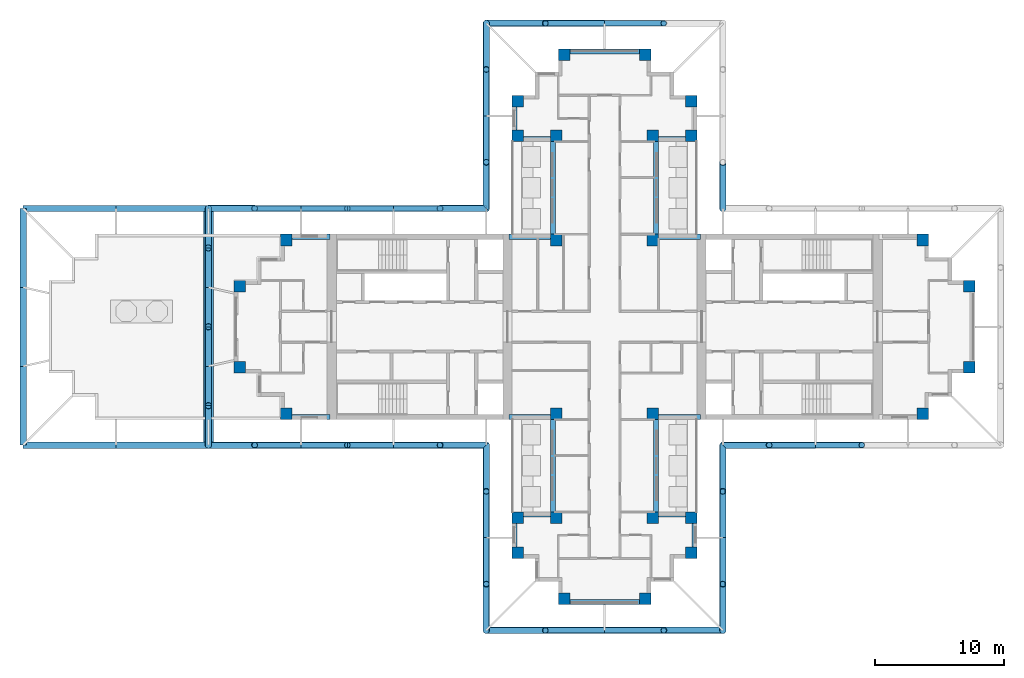
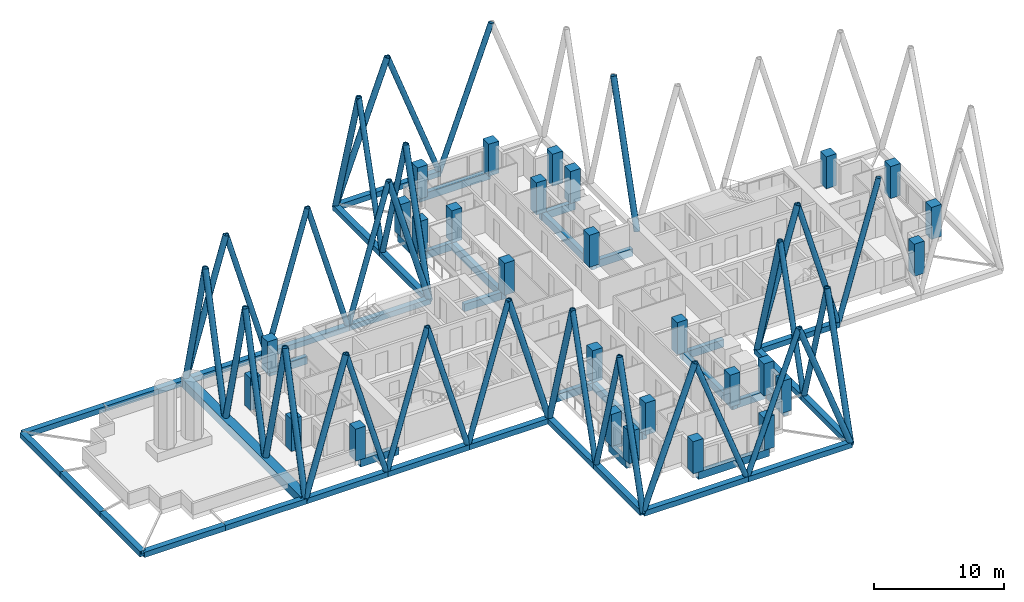
# One storey, part 1 of 11: 65 members, 28 columns, 19 beams.
"""IFC4 building model written with IfcOpenShell, lengths in metres."""

import ifcopenshell
import ifcopenshell.guid

model = None  # the IFC model being written
_history = None  # IfcOwnerHistory: only IFC2X3 demands one
_inside = {}  # id of a spatial element -> (the spatial element, [elements in it])
_under = {}  # id of a project, library or spatial element -> (it, [spatial elements below it])
_declared = {}  # id of a project -> (the project, [libraries it declares])
_typed = {}  # id of a type object -> (the type object, [elements of that type])
_made_of = {}  # id of a material, layer set ... -> (it, [elements and type objects made of it])


def new_model(schema):
    """Start an empty IFC model of exactly this schema.

    Asked for "IFC4X3", IfcOpenShell would pick the latest addendum, in which some entities
    have other attributes; the version numbers below select the first issue.
    IFC2X3 requires an IfcOwnerHistory on every rooted entity: one is made here for all.
    """
    global model, _history
    if schema == "IFC4X3":
        model = ifcopenshell.file(schema_version=(4, 3, 0, 0))
    else:
        model = ifcopenshell.file(schema=schema)
    _inside.clear()
    _under.clear()
    _declared.clear()
    _typed.clear()
    _made_of.clear()
    _history = None
    if model.schema == "IFC2X3":
        org = make("IfcOrganization", Name="unknown")
        user = make(
            "IfcPersonAndOrganization",
            ThePerson=make("IfcPerson", FamilyName="unknown"),
            TheOrganization=org,
        )
        app = make(
            "IfcApplication",
            ApplicationDeveloper=org,
            Version="unknown",
            ApplicationFullName="unknown",
            ApplicationIdentifier="unknown",
        )
        _history = make(
            "IfcOwnerHistory",
            OwningUser=user,
            OwningApplication=app,
            ChangeAction="ADDED",
            CreationDate=0,
        )
    return model


def make(cls, **values):
    """One entity of the class cls with the attributes given. An attribute that is None is left unset."""
    return model.create_entity(
        cls, **{name: value for name, value in values.items() if value is not None}
    )


def rooted(cls, **values):
    """An entity with a GlobalId (a new one), such as an element, a storey or a relation."""
    return make(cls, GlobalId=ifcopenshell.guid.new(), OwnerHistory=_history, **values)


def si_unit(unit_type, name, prefix=None):
    """IfcSIUnit, for example si_unit("LENGTHUNIT", "METRE", prefix="MILLI")."""
    return make("IfcSIUnit", UnitType=unit_type, Prefix=prefix, Name=name)


def assignment(units):
    """IfcUnitAssignment: the units of a project."""
    return None if units is None else make("IfcUnitAssignment", Units=units)


def point(xyz):
    """IfcCartesianPoint."""
    return None if xyz is None else make("IfcCartesianPoint", Coordinates=xyz)


def direction(xyz):
    """IfcDirection."""
    return None if xyz is None else make("IfcDirection", DirectionRatios=xyz)


def frame(location, z_axis=None, x_axis=None):
    """IfcAxis2Placement3D, a coordinate frame: its origin and axes. An axis left out is left unset."""
    return make(
        "IfcAxis2Placement3D",
        Location=point(location),
        Axis=direction(z_axis),
        RefDirection=direction(x_axis),
    )


def frame_2d(location, x_axis=None):
    """IfcAxis2Placement2D, a coordinate frame in the plane: its origin and x axis."""
    return make(
        "IfcAxis2Placement2D", Location=point(location), RefDirection=direction(x_axis)
    )


def origin():
    """The frame at (0, 0, 0) with its axes left unset."""
    return frame((0.0, 0.0, 0.0))


def origin_2d():
    """The frame at (0, 0) in the plane with its x axis left unset."""
    return frame_2d((0.0, 0.0))


def place(relative_to, where):
    """IfcLocalPlacement: puts the frame where relative to a parent placement (None: the world)."""
    return make(
        "IfcLocalPlacement", PlacementRelTo=relative_to, RelativePlacement=where
    )


def context(
    kind, dimensions, precision=None, world=None, true_north=None, identifier=None
):
    """IfcGeometricRepresentationContext, for example the 3D "Model" context."""
    return make(
        "IfcGeometricRepresentationContext",
        ContextIdentifier=identifier,
        ContextType=kind,
        CoordinateSpaceDimension=dimensions,
        Precision=precision,
        WorldCoordinateSystem=world,
        TrueNorth=true_north,
    )


def subcontext(parent, identifier, kind, view, scale=None):
    """IfcGeometricRepresentationSubContext, for example "Body" below "Model"."""
    return make(
        "IfcGeometricRepresentationSubContext",
        ContextIdentifier=identifier,
        ContextType=kind,
        ParentContext=parent,
        TargetScale=scale,
        TargetView=view,
    )


def project(units=None, contexts=None):
    """IfcProject with its units and contexts."""
    return rooted(
        "IfcProject",
        Name="project",
        RepresentationContexts=contexts,
        UnitsInContext=assignment(units),
    )


def spatial(cls, under=None, at=None, **own):
    """A site, building, storey or space (cls), placed at a placement, below another one or the project."""
    s = rooted(cls, ObjectPlacement=at, **own)
    if under is not None:
        _under.setdefault(under.id(), (under, []))[1].append(s)
    return s


def profile(cls, at=None, kind="AREA", **sizes):
    """A parametric profile (cls). Its sizes go by their IFC names, for example OverallWidth=200.0."""
    return make(cls, ProfileType=kind, Position=at, **sizes)


def rectangle(**sizes):
    """IfcRectangleProfileDef."""
    return profile("IfcRectangleProfileDef", **sizes)


def hollow_rectangle(**sizes):
    """IfcRectangleHollowProfileDef."""
    return profile("IfcRectangleHollowProfileDef", **sizes)


def hollow_circle(**sizes):
    """IfcCircleHollowProfileDef."""
    return profile("IfcCircleHollowProfileDef", **sizes)


def extrude(swept, where, along, depth):
    """IfcExtrudedAreaSolid: the profile swept, set in the frame where, extruded along a direction by depth."""
    return make(
        "IfcExtrudedAreaSolid",
        SweptArea=swept,
        Position=where,
        ExtrudedDirection=direction(along),
        Depth=depth,
    )


def shape(context_of_items, identifier, shape_type, items):
    """IfcShapeRepresentation: the items that make up one representation, for example the "Body"."""
    return make(
        "IfcShapeRepresentation",
        ContextOfItems=context_of_items,
        RepresentationIdentifier=identifier,
        RepresentationType=shape_type,
        Items=items,
    )


def material(Name=None, Category=None):
    """IfcMaterial."""
    return make("IfcMaterial", Name=Name, Category=Category)


def material_profile(
    of_material, cross_section, Name=None, Category=None, Priority=None
):
    """IfcMaterialProfile: a cross section and its material."""
    return make(
        "IfcMaterialProfile",
        Name=Name,
        Material=of_material,
        Profile=cross_section,
        Priority=Priority,
        Category=Category,
    )


def profile_set(profiles, Name=None, composite=None):
    """IfcMaterialProfileSet."""
    return make(
        "IfcMaterialProfileSet",
        Name=Name,
        MaterialProfiles=profiles,
        CompositeProfile=composite,
    )


def made_of(thing, what):
    """Note that an element or type object is made of a material, layer set ...; save() writes the relation."""
    if what is not None:
        _made_of.setdefault(what.id(), (what, []))[1].append(thing)
    return thing


def type_object(cls, material=None, **own):
    """A type object (cls), such as IfcWallType, which elements share."""
    return made_of(rooted(cls, **own), material)


def element(
    cls,
    number,
    at=None,
    inside=None,
    cuts=None,
    type_object=None,
    material=None,
    context=None,
    identifier="Body",
    shape_type=None,
    held_by="IfcProductDefinitionShape",
    body=None,
    shapes=None,
    **own,
):
    """One element of the class cls, such as IfcWall. Its Tag is "e" and its number.

    at: its placement. inside: the storey or other place that contains it. cuts: it is an
    opening in that element (IfcRelVoidsElement). A single representation is given by context,
    identifier, shape_type and body (its items); several are given by shapes. held_by: the class
    of the entity that holds the representations. save() writes the other relations.
    """
    e = rooted(cls, Tag="e%d" % number, ObjectPlacement=at, **own)
    if body is not None:
        shapes = [shape(context, identifier, shape_type, body)]
    if shapes is not None:
        e.Representation = make(held_by, Representations=shapes)
    if inside is not None:
        _inside.setdefault(inside.id(), (inside, []))[1].append(e)
    if cuts is not None:
        rooted(
            "IfcRelVoidsElement", RelatingBuildingElement=cuts, RelatedOpeningElement=e
        )
    if type_object is not None:
        _typed.setdefault(type_object.id(), (type_object, []))[1].append(e)
    return made_of(e, material)


def aggregate(whole, parts):
    """IfcRelAggregates: a whole, such as a stair, and the parts it consists of."""
    return rooted("IfcRelAggregates", RelatingObject=whole, RelatedObjects=parts)


def save(model, path):
    """Write the relations noted so far, then the file.

    IfcRelAggregates (storeys below a building ...), IfcRelContainedInSpatialStructure (elements
    in a storey), IfcRelDefinesByType, IfcRelAssociatesMaterial and IfcRelDeclares: one each for
    every whole, place, type object, material and project.
    """
    for whole, parts in _under.values():
        aggregate(whole, parts)
    for where, things in _inside.values():
        rooted(
            "IfcRelContainedInSpatialStructure",
            RelatedElements=things,
            RelatingStructure=where,
        )
    for kind, things in _typed.values():
        rooted("IfcRelDefinesByType", RelatedObjects=things, RelatingType=kind)
    for what, things in _made_of.values():
        rooted("IfcRelAssociatesMaterial", RelatedObjects=things, RelatingMaterial=what)
    for by, libraries in _declared.values():
        rooted("IfcRelDeclares", RelatingContext=by, RelatedDefinitions=libraries)
    model.write(path)


model = new_model("IFC4")

# Units and contexts
model_context = context("Model", 3, precision=1e-05, world=origin(), true_north=direction((0.0, 1.0)))
body_context = subcontext(model_context, "Body", "Model", "MODEL_VIEW")
ifc_project = project(units=[si_unit("LENGTHUNIT", "METRE"), si_unit("AREAUNIT", "SQUARE_METRE"), si_unit("VOLUMEUNIT", "CUBIC_METRE"), si_unit("PLANEANGLEUNIT", "RADIAN"), si_unit("MASSUNIT", "GRAM", prefix="KILO")], contexts=[model_context])

# Site, building, storey
site_placement = place(None, origin())
site = spatial("IfcSite", under=ifc_project, at=site_placement, CompositionType="ELEMENT")
building_placement = place(site_placement, origin())
building = spatial("IfcBuilding", under=site, at=building_placement, Name="Fustian Cross Tower", CompositionType="ELEMENT")
storey_placement = place(building_placement, frame((0.0, 0.0, 198.89990234375)))
storey = spatial("IfcBuildingStorey", under=building, at=storey_placement, Name="L62", CompositionType="ELEMENT", Elevation=198.89990234375)

# Columns
ifc_material_1 = material(Name="Concrete C40/50", Category="concrete")
ifc_material_profile_1 = material_profile(ifc_material_1, rectangle(XDim=0.89990234375, YDim=0.89990234375, at=origin_2d()), Name="RC 900x900")
ifc_profile_set_1 = profile_set([ifc_material_profile_1], Name="Concrete C40/50")
column_type = type_object("IfcColumnType", Name="COLUMN RC 900x900 C40/50", PredefinedType="COLUMN", material=ifc_profile_set_1)
for number, where, z_axis, x_axis, name in (
    (1, (-28.35009765625, -3.14990234375, 0.0), (0.0, 0.0, 1.0), (1.0, 0.0, 0.0), "COLUMN 008"),
    (2, (-28.35009765625, 3.14990234375, 0.0), (0.0, 0.0, 1.0), (1.0, 0.0, 0.0), "COLUMN 009"),
    (3, (-24.75, -6.75, 0.0), (0.0, 0.0, 1.0), (1.0, 0.0, 0.0), "COLUMN 011"),
    (4, (-24.75, 6.75, 0.0), (0.0, 0.0, 1.0), (1.0, 0.0, 0.0), "COLUMN 012"),
    (5, (-6.75, -17.550048828125, 0.0), (0.0, 0.0, 1.0), (1.0, 0.0, 0.0), "COLUMN 017"),
    (6, (-6.75, -14.85009765625, 0.0), (0.0, 0.0, 1.0), (1.0, 0.0, 0.0), "COLUMN 018"),
    (7, (-6.75, 14.85009765625, 0.0), (0.0, 0.0, 1.0), (1.0, 0.0, 0.0), "COLUMN 019"),
    (8, (-6.75, 17.550048828125, 0.0), (0.0, 0.0, 1.0), (1.0, 0.0, 0.0), "COLUMN 020"),
    (9, (-3.75, -14.85009765625, 0.0), (0.0, 0.0, 1.0), (1.0, 0.0, 0.0), "COLUMN 025"),
    (10, (-3.75, -6.75, 0.0), (0.0, 0.0, 1.0), (1.0, 0.0, 0.0), "COLUMN 026"),
    (11, (-3.75, 6.75, 0.0), (0.0, 0.0, 1.0), (1.0, 0.0, 0.0), "COLUMN 027"),
    (12, (-3.75, 14.85009765625, 0.0), (0.0, 0.0, 1.0), (1.0, 0.0, 0.0), "COLUMN 028"),
    (13, (-3.14990234375, -21.14990234375, 0.0), (0.0, 0.0, 1.0), (1.0, 0.0, 0.0), "COLUMN 030"),
    (14, (-3.14990234375, 21.14990234375, 0.0), (0.0, 0.0, 1.0), (1.0, 0.0, 0.0), "COLUMN 031"),
    (15, (3.14990234375, -21.14990234375, 0.0), (0.0, 0.0, 1.0), (1.0, 0.0, 0.0), "COLUMN 034"),
    (16, (3.14990234375, 21.14990234375, 0.0), (0.0, 0.0, 1.0), (1.0, 0.0, 0.0), "COLUMN 035"),
    (17, (3.75, -14.85009765625, 0.0), (0.0, 0.0, 1.0), (1.0, 0.0, 0.0), "COLUMN 037"),
    (18, (3.75, -6.75, 0.0), (0.0, 0.0, 1.0), (1.0, 0.0, 0.0), "COLUMN 038"),
    (19, (3.75, 6.75, 0.0), (0.0, 0.0, 1.0), (1.0, 0.0, 0.0), "COLUMN 039"),
    (20, (3.75, 14.85009765625, 0.0), (0.0, 0.0, 1.0), (1.0, 0.0, 0.0), "COLUMN 040"),
    (21, (6.75, -17.550048828125, 0.0), (0.0, 0.0, 1.0), (1.0, 0.0, 0.0), "COLUMN 045"),
    (22, (6.75, -14.85009765625, 0.0), (0.0, 0.0, 1.0), (1.0, 0.0, 0.0), "COLUMN 046"),
    (23, (6.75, 14.85009765625, 0.0), (0.0, 0.0, 1.0), (1.0, 0.0, 0.0), "COLUMN 047"),
    (24, (6.75, 17.550048828125, 0.0), (0.0, 0.0, 1.0), (1.0, 0.0, 0.0), "COLUMN 048"),
    (25, (24.75, -6.75, 0.0), (0.0, 0.0, 1.0), (1.0, 0.0, 0.0), "COLUMN 053"),
    (26, (24.75, 6.75, 0.0), (0.0, 0.0, 1.0), (1.0, 0.0, 0.0), "COLUMN 054"),
    (27, (28.35009765625, -3.14990234375, 0.0), (0.0, 0.0, 1.0), (1.0, 0.0, 0.0), "COLUMN 056"),
    (28, (28.35009765625, 3.14990234375, 0.0), (0.0, 0.0, 1.0), (1.0, 0.0, 0.0), "COLUMN 057"),
):
    element("IfcColumn", number, at=place(storey_placement, frame(where, z_axis=z_axis, x_axis=x_axis)), inside=storey, type_object=column_type, Name=name, PredefinedType="COLUMN", context=body_context, shape_type="SweptSolid", body=[
        extrude(rectangle(XDim=0.89990234375, YDim=0.89990234375, at=origin_2d()), origin(), (0.0, 0.0, 1.0), 3.0),
    ])

# Members
ifc_material_2 = material(Name="Steel S355", Category="steel")
ifc_material_profile_2 = material_profile(ifc_material_2, hollow_circle(Radius=0.228515625, WallThickness=0.01611328125, at=origin_2d()), Name="CHS 457x16")
ifc_profile_set_2 = profile_set([ifc_material_profile_2], Name="Steel S355")
member_type_1 = type_object("IfcMemberType", Name="DIAGRID DIAGONAL CHS 457x16", PredefinedType="BRACE", material=ifc_profile_set_2)
for number, where, z_axis, x_axis, name in (
    (29, (16.39990234375, -9.199951171875, -0.39990234375), (-0.278801756922, 0.0, 0.960348676438), (0.0, -1.0, 0.0), "Diagrid diagonal E-S 02"),
    (30, (16.39990234375, -9.199951171875, -0.39990234375), (0.278819195264, 0.0, 0.960343613689), (0.0, 1.0, 0.0), "Diagrid diagonal E-S 03"),
):
    element("IfcMember", number, at=place(storey_placement, frame(where, z_axis=z_axis, x_axis=x_axis)), inside=storey, type_object=member_type_1, Name=name, PredefinedType="BRACE", context=body_context, shape_type="SweptSolid", body=[
        extrude(hollow_circle(Radius=0.228515625, WallThickness=0.01611328125, at=origin_2d()), origin(), (0.0, 0.0, 1.0), 12.911865234375),
    ])
for number, where, z_axis, x_axis, name in (
    (31, (0.0, 23.60009765625, -0.39990234375), (0.347815721372, 0.0, 0.937562917338), (0.0, 1.0, 0.0), "Diagrid diagonal N-end 02"),
    (32, (0.0, 23.60009765625, -0.39990234375), (-0.347815721372, 0.0, 0.937562917338), (0.0, -1.0, 0.0), "Diagrid diagonal N-end 03"),
):
    element("IfcMember", number, at=place(storey_placement, frame(where, z_axis=z_axis, x_axis=x_axis)), inside=storey, type_object=member_type_1, Name=name, PredefinedType="BRACE", context=body_context, shape_type="SweptSolid", body=[
        extrude(hollow_circle(Radius=0.228515625, WallThickness=0.01611328125, at=origin_2d()), origin(), (0.0, 0.0, 1.0), 13.2255859375),
    ])
for number, where, z_axis, x_axis, name in (
    (33, (-9.199951171875, 16.39990234375, -0.39990234375), (0.0, 0.278819195264, 0.960343613689), (-1.0, 0.0, 0.0), "Diagrid diagonal N-W 02"),
    (34, (-9.199951171875, 16.39990234375, -0.39990234375), (0.0, -0.278801756922, 0.960348676438), (1.0, 0.0, 0.0), "Diagrid diagonal N-W 03"),
    (35, (-16.39990234375, 9.199951171875, -0.39990234375), (0.278801756922, 0.0, 0.960348676438), (0.0, 1.0, 0.0), "Diagrid diagonal W-N 02"),
    (36, (-16.39990234375, 9.199951171875, -0.39990234375), (-0.278819195264, 0.0, 0.960343613689), (0.0, -1.0, 0.0), "Diagrid diagonal W-N 03"),
    (37, (-23.60009765625, 9.199951171875, -0.39990234375), (0.278819195264, 0.0, 0.960343613689), (0.0, 1.0, 0.0), "Diagrid diagonal W-N 04"),
    (38, (-23.60009765625, 9.199951171875, -0.39990234375), (-0.278801756922, 0.0, 0.960348676438), (0.0, -1.0, 0.0), "Diagrid diagonal W-N 05"),
    (39, (-23.60009765625, -9.199951171875, -0.39990234375), (-0.278801756922, 0.0, 0.960348676438), (0.0, -1.0, 0.0), "Diagrid diagonal W-S 02"),
    (40, (-23.60009765625, -9.199951171875, -0.39990234375), (0.278819195264, 0.0, 0.960343613689), (0.0, 1.0, 0.0), "Diagrid diagonal W-S 03"),
    (41, (-16.39990234375, -9.199951171875, -0.39990234375), (-0.278819195264, 0.0, 0.960343613689), (0.0, -1.0, 0.0), "Diagrid diagonal W-S 04"),
    (42, (-16.39990234375, -9.199951171875, -0.39990234375), (0.278801756922, 0.0, 0.960348676438), (0.0, 1.0, 0.0), "Diagrid diagonal W-S 05"),
    (43, (-9.199951171875, -16.39990234375, -0.39990234375), (0.0, 0.278801756922, 0.960348676438), (-1.0, 0.0, 0.0), "Diagrid diagonal S-W 02"),
    (44, (-9.199951171875, -16.39990234375, -0.39990234375), (0.0, -0.278819195264, 0.960343613689), (1.0, 0.0, 0.0), "Diagrid diagonal S-W 03"),
):
    element("IfcMember", number, at=place(storey_placement, frame(where, z_axis=z_axis, x_axis=x_axis)), inside=storey, type_object=member_type_1, Name=name, PredefinedType="BRACE", context=body_context, shape_type="SweptSolid", body=[
        extrude(hollow_circle(Radius=0.228515625, WallThickness=0.01611328125, at=origin_2d()), origin(), (0.0, 0.0, 1.0), 12.911865234375),
    ])
for number, where, z_axis, x_axis, name in (
    (45, (0.0, -23.60009765625, -0.39990234375), (-0.347815721372, 0.0, 0.937562917338), (0.0, -1.0, 0.0), "Diagrid diagonal S-end 02"),
    (46, (0.0, -23.60009765625, -0.39990234375), (0.347815721372, 0.0, 0.937562917338), (0.0, 1.0, 0.0), "Diagrid diagonal S-end 03"),
):
    element("IfcMember", number, at=place(storey_placement, frame(where, z_axis=z_axis, x_axis=x_axis)), inside=storey, type_object=member_type_1, Name=name, PredefinedType="BRACE", context=body_context, shape_type="SweptSolid", body=[
        extrude(hollow_circle(Radius=0.228515625, WallThickness=0.01611328125, at=origin_2d()), origin(), (0.0, 0.0, 1.0), 13.2255859375),
    ])
for number, where, z_axis, x_axis, name in (
    (47, (9.199951171875, -16.39990234375, -0.39990234375), (0.0, -0.278819195264, 0.960343613689), (1.0, 0.0, 0.0), "Diagrid diagonal S-E 02"),
    (48, (9.199951171875, -16.39990234375, -0.39990234375), (0.0, 0.278801756922, 0.960348676438), (-1.0, 0.0, 0.0), "Diagrid diagonal S-E 03"),
):
    element("IfcMember", number, at=place(storey_placement, frame(where, z_axis=z_axis, x_axis=x_axis)), inside=storey, type_object=member_type_1, Name=name, PredefinedType="BRACE", context=body_context, shape_type="SweptSolid", body=[
        extrude(hollow_circle(Radius=0.228515625, WallThickness=0.01611328125, at=origin_2d()), origin(), (0.0, 0.0, 1.0), 12.911865234375),
    ])
ifc_material_3 = material(Name="Steel S355", Category="steel")
ifc_material_profile_3 = material_profile(ifc_material_3, hollow_circle(Radius=0.25390625, WallThickness=0.02001953125, at=origin_2d()), Name="CHS 508x20")
ifc_profile_set_3 = profile_set([ifc_material_profile_3], Name="Steel S355")
member_type_2 = type_object("IfcMemberType", Name="DIAGRID DIAGONAL CHS 508x20", PredefinedType="BRACE", material=ifc_profile_set_3)
for number, where, z_axis, x_axis, name in (
    (49, (9.199951171875, -9.199951171875, -0.39990234375), (0.278819195264, 0.0, 0.960343613689), (0.0, 1.0, 0.0), "Diagrid diagonal E-S 01"),
    (50, (9.199951171875, 9.199951171875, -0.39990234375), (0.0, 0.278819195264, 0.960343613689), (-1.0, 0.0, 0.0), "Diagrid diagonal N-E 01"),
):
    element("IfcMember", number, at=place(storey_placement, frame(where, z_axis=z_axis, x_axis=x_axis)), inside=storey, type_object=member_type_2, Name=name, PredefinedType="BRACE", context=body_context, shape_type="SweptSolid", body=[
        extrude(hollow_circle(Radius=0.25390625, WallThickness=0.02001953125, at=origin_2d()), origin(), (0.0, 0.0, 1.0), 12.911865234375),
    ])
member_1_placement = place(storey_placement, frame((-9.199951171875, 23.60009765625, -0.39990234375), z_axis=(0.347799494783, 0.0, 0.937568936894), x_axis=(0.0, 1.0, 0.0)))
element("IfcMember", 51, at=member_1_placement, inside=storey, type_object=member_type_2, Name="Diagrid diagonal N-end 04", PredefinedType="BRACE", context=body_context, shape_type="SweptSolid", body=[
    extrude(hollow_circle(Radius=0.25390625, WallThickness=0.02001953125, at=origin_2d()), origin(), (0.0, 0.0, 1.0), 13.2255859375),
])
for number, where, z_axis, x_axis, name in (
    (52, (-9.199951171875, 23.60009765625, -0.39990234375), (0.0, -0.278819195264, 0.960343613689), (1.0, 0.0, 0.0), "Diagrid diagonal N-W 01"),
    (53, (-9.199951171875, 9.199951171875, -0.39990234375), (0.0, 0.278819195264, 0.960343613689), (-1.0, 0.0, 0.0), "Diagrid diagonal N-W 04"),
    (54, (-9.199951171875, 9.199951171875, -0.39990234375), (-0.278819195264, 0.0, 0.960343613689), (0.0, -1.0, 0.0), "Diagrid diagonal W-N 01"),
    (55, (-30.800048828125, 9.199951171875, -0.39990234375), (0.278819195264, 0.0, 0.960343613689), (0.0, 1.0, 0.0), "Diagrid diagonal W-N 06"),
):
    element("IfcMember", number, at=place(storey_placement, frame(where, z_axis=z_axis, x_axis=x_axis)), inside=storey, type_object=member_type_2, Name=name, PredefinedType="BRACE", context=body_context, shape_type="SweptSolid", body=[
        extrude(hollow_circle(Radius=0.25390625, WallThickness=0.02001953125, at=origin_2d()), origin(), (0.0, 0.0, 1.0), 12.911865234375),
    ])
for number, where, z_axis, x_axis, name in (
    (56, (-30.800048828125, 9.199951171875, -0.39990234375), (0.0, -0.240079379729, 0.970753259808), (1.0, 0.0, 0.0), "Diagrid diagonal W-end 01"),
    (57, (-30.800048828125, 3.066650390625, -0.39990234375), (0.0, 0.240079379729, 0.970753259808), (-1.0, 0.0, 0.0), "Diagrid diagonal W-end 02"),
    (58, (-30.800048828125, 3.066650390625, -0.39990234375), (0.0, -0.240079379729, 0.970753259808), (1.0, 0.0, 0.0), "Diagrid diagonal W-end 03"),
    (59, (-30.800048828125, -3.066650390625, -0.39990234375), (0.0, 0.240079379729, 0.970753259808), (-1.0, 0.0, 0.0), "Diagrid diagonal W-end 04"),
    (60, (-30.800048828125, -3.066650390625, -0.39990234375), (0.0, -0.240079379729, 0.970753259808), (1.0, 0.0, 0.0), "Diagrid diagonal W-end 05"),
    (61, (-30.800048828125, -9.199951171875, -0.39990234375), (0.0, 0.240079379729, 0.970753259808), (-1.0, 0.0, 0.0), "Diagrid diagonal W-end 06"),
):
    element("IfcMember", number, at=place(storey_placement, frame(where, z_axis=z_axis, x_axis=x_axis)), inside=storey, type_object=member_type_2, Name=name, PredefinedType="BRACE", context=body_context, shape_type="SweptSolid", body=[
        extrude(hollow_circle(Radius=0.25390625, WallThickness=0.02001953125, at=origin_2d()), origin(), (0.0, 0.0, 1.0), 12.7734375),
    ])
for number, where, z_axis, x_axis, name in (
    (62, (-30.800048828125, -9.199951171875, -0.39990234375), (0.278819195264, 0.0, 0.960343613689), (0.0, 1.0, 0.0), "Diagrid diagonal W-S 01"),
    (63, (-9.199951171875, -9.199951171875, -0.39990234375), (-0.278819195264, 0.0, 0.960343613689), (0.0, -1.0, 0.0), "Diagrid diagonal W-S 06"),
    (64, (-9.199951171875, -9.199951171875, -0.39990234375), (0.0, -0.278819195264, 0.960343613689), (1.0, 0.0, 0.0), "Diagrid diagonal S-W 01"),
    (65, (-9.199951171875, -23.60009765625, -0.39990234375), (0.0, 0.278819195264, 0.960343613689), (-1.0, 0.0, 0.0), "Diagrid diagonal S-W 04"),
):
    element("IfcMember", number, at=place(storey_placement, frame(where, z_axis=z_axis, x_axis=x_axis)), inside=storey, type_object=member_type_2, Name=name, PredefinedType="BRACE", context=body_context, shape_type="SweptSolid", body=[
        extrude(hollow_circle(Radius=0.25390625, WallThickness=0.02001953125, at=origin_2d()), origin(), (0.0, 0.0, 1.0), 12.911865234375),
    ])
for number, where, z_axis, x_axis, name in (
    (66, (-9.199951171875, -23.60009765625, -0.39990234375), (0.347799494783, 0.0, 0.937568936894), (0.0, 1.0, 0.0), "Diagrid diagonal S-end 01"),
    (67, (9.199951171875, -23.60009765625, -0.39990234375), (-0.347799494783, 0.0, 0.937568936894), (0.0, -1.0, 0.0), "Diagrid diagonal S-end 04"),
):
    element("IfcMember", number, at=place(storey_placement, frame(where, z_axis=z_axis, x_axis=x_axis)), inside=storey, type_object=member_type_2, Name=name, PredefinedType="BRACE", context=body_context, shape_type="SweptSolid", body=[
        extrude(hollow_circle(Radius=0.25390625, WallThickness=0.02001953125, at=origin_2d()), origin(), (0.0, 0.0, 1.0), 13.2255859375),
    ])
for number, where, z_axis, x_axis, name in (
    (68, (9.199951171875, -23.60009765625, -0.39990234375), (0.0, 0.278819195264, 0.960343613689), (-1.0, 0.0, 0.0), "Diagrid diagonal S-E 01"),
    (69, (9.199951171875, -9.199951171875, -0.39990234375), (0.0, -0.278819195264, 0.960343613689), (1.0, 0.0, 0.0), "Diagrid diagonal S-E 04"),
):
    element("IfcMember", number, at=place(storey_placement, frame(where, z_axis=z_axis, x_axis=x_axis)), inside=storey, type_object=member_type_2, Name=name, PredefinedType="BRACE", context=body_context, shape_type="SweptSolid", body=[
        extrude(hollow_circle(Radius=0.25390625, WallThickness=0.02001953125, at=origin_2d()), origin(), (0.0, 0.0, 1.0), 12.911865234375),
    ])
ifc_material_4 = material(Name="Steel S355", Category="steel")
ifc_material_profile_4 = material_profile(ifc_material_4, hollow_rectangle(XDim=0.5, YDim=0.5, WallThickness=0.02490234375, at=origin_2d()), Name="RHS 500x500x25")
ifc_profile_set_4 = profile_set([ifc_material_profile_4], Name="Steel S355")
member_type_3 = type_object("IfcMemberType", Name="DIAGRID RING RHS 500x500x25", PredefinedType="MEMBER", material=ifc_profile_set_4)
member_2_placement = place(storey_placement, frame((0.0, 23.60009765625, -0.39990234375), z_axis=(-1.0, 0.0, 0.0), x_axis=(0.0, -1.0, 0.0)))
element("IfcMember", 70, at=member_2_placement, inside=storey, type_object=member_type_3, Name="Diagrid ring L62-08 L62-09", PredefinedType="MEMBER", context=body_context, shape_type="SweptSolid", body=[
    extrude(hollow_rectangle(XDim=0.5, YDim=0.5, WallThickness=0.02490234375, at=origin_2d()), origin(), (0.0, 0.0, 1.0), 9.199951171875),
])
member_3_placement = place(storey_placement, frame((-9.199951171875, 23.60009765625, -0.39990234375), z_axis=(0.0, -1.0, 0.0), x_axis=(1.0, 0.0, 0.0)))
element("IfcMember", 71, at=member_3_placement, inside=storey, type_object=member_type_3, Name="Diagrid ring L62-09 L62-10", PredefinedType="MEMBER", context=body_context, shape_type="SweptSolid", body=[
    extrude(hollow_rectangle(XDim=0.5, YDim=0.5, WallThickness=0.02490234375, at=origin_2d()), origin(), (0.0, 0.0, 1.0), 7.2001953125),
])
for number, where, z_axis, x_axis, name in (
    (72, (-9.199951171875, 16.39990234375, -0.39990234375), (0.0, -1.0, 0.0), (1.0, 0.0, 0.0), "Diagrid ring L62-10 L62-11"),
    (73, (-9.199951171875, 9.199951171875, -0.39990234375), (-1.0, 0.0, 0.0), (0.0, -1.0, 0.0), "Diagrid ring L62-11 L62-12"),
):
    element("IfcMember", number, at=place(storey_placement, frame(where, z_axis=z_axis, x_axis=x_axis)), inside=storey, type_object=member_type_3, Name=name, PredefinedType="MEMBER", context=body_context, shape_type="SweptSolid", body=[
        extrude(hollow_rectangle(XDim=0.5, YDim=0.5, WallThickness=0.02490234375, at=origin_2d()), origin(), (0.0, 0.0, 1.0), 7.199951171875),
    ])
member_4_placement = place(storey_placement, frame((-16.39990234375, 9.199951171875, -0.39990234375), z_axis=(-1.0, 0.0, 0.0), x_axis=(0.0, -1.0, 0.0)))
element("IfcMember", 74, at=member_4_placement, inside=storey, type_object=member_type_3, Name="Diagrid ring L62-12 L62-13", PredefinedType="MEMBER", context=body_context, shape_type="SweptSolid", body=[
    extrude(hollow_rectangle(XDim=0.5, YDim=0.5, WallThickness=0.02490234375, at=origin_2d()), origin(), (0.0, 0.0, 1.0), 7.2001953125),
])
for number, where, z_axis, x_axis, name in (
    (75, (-23.60009765625, 9.199951171875, -0.39990234375), (-1.0, 0.0, 0.0), (0.0, -1.0, 0.0), "Diagrid ring L62-13 L62-14"),
    (76, (-30.800048828125, 9.199951171875, -0.39990234375), (-1.0, 0.0, 0.0), (0.0, -1.0, 0.0), "Diagrid ring L62-14 L62-15"),
    (77, (-38.0, 9.199951171875, -0.39990234375), (-1.0, 0.0, 0.0), (0.0, -1.0, 0.0), "Diagrid ring L62-15 L62-16"),
):
    element("IfcMember", number, at=place(storey_placement, frame(where, z_axis=z_axis, x_axis=x_axis)), inside=storey, type_object=member_type_3, Name=name, PredefinedType="MEMBER", context=body_context, shape_type="SweptSolid", body=[
        extrude(hollow_rectangle(XDim=0.5, YDim=0.5, WallThickness=0.02490234375, at=origin_2d()), origin(), (0.0, 0.0, 1.0), 7.199951171875),
    ])
for number, where, z_axis, x_axis, name in (
    (78, (-45.199951171875, 9.199951171875, -0.39990234375), (0.0, -1.0, 0.0), (1.0, 0.0, 0.0), "Diagrid ring L62-16 L62-18"),
    (79, (-45.199951171875, 3.066650390625, -0.39990234375), (0.0, -1.0, 0.0), (1.0, 0.0, 0.0), "Diagrid ring L62-18 L62-19"),
    (80, (-45.199951171875, -3.066650390625, -0.39990234375), (0.0, -1.0, 0.0), (1.0, 0.0, 0.0), "Diagrid ring L62-19 L62-21"),
):
    element("IfcMember", number, at=place(storey_placement, frame(where, z_axis=z_axis, x_axis=x_axis)), inside=storey, type_object=member_type_3, Name=name, PredefinedType="MEMBER", context=body_context, shape_type="SweptSolid", body=[
        extrude(hollow_rectangle(XDim=0.5, YDim=0.5, WallThickness=0.02490234375, at=origin_2d()), origin(), (0.0, 0.0, 1.0), 6.13330078125),
    ])
for number, where, z_axis, x_axis, name in (
    (81, (-45.199951171875, -9.199951171875, -0.39990234375), (1.0, 0.0, 0.0), (0.0, 1.0, 0.0), "Diagrid ring L62-21 L62-22"),
    (82, (-38.0, -9.199951171875, -0.39990234375), (1.0, 0.0, 0.0), (0.0, 1.0, 0.0), "Diagrid ring L62-22 L62-23"),
    (83, (-30.800048828125, -9.199951171875, -0.39990234375), (1.0, 0.0, 0.0), (0.0, 1.0, 0.0), "Diagrid ring L62-23 L62-24"),
):
    element("IfcMember", number, at=place(storey_placement, frame(where, z_axis=z_axis, x_axis=x_axis)), inside=storey, type_object=member_type_3, Name=name, PredefinedType="MEMBER", context=body_context, shape_type="SweptSolid", body=[
        extrude(hollow_rectangle(XDim=0.5, YDim=0.5, WallThickness=0.02490234375, at=origin_2d()), origin(), (0.0, 0.0, 1.0), 7.199951171875),
    ])
member_5_placement = place(storey_placement, frame((-23.60009765625, -9.199951171875, -0.39990234375), z_axis=(1.0, 0.0, 0.0), x_axis=(0.0, 1.0, 0.0)))
element("IfcMember", 84, at=member_5_placement, inside=storey, type_object=member_type_3, Name="Diagrid ring L62-24 L62-25", PredefinedType="MEMBER", context=body_context, shape_type="SweptSolid", body=[
    extrude(hollow_rectangle(XDim=0.5, YDim=0.5, WallThickness=0.02490234375, at=origin_2d()), origin(), (0.0, 0.0, 1.0), 7.2001953125),
])
for number, where, z_axis, x_axis, name in (
    (85, (-16.39990234375, -9.199951171875, -0.39990234375), (1.0, 0.0, 0.0), (0.0, 1.0, 0.0), "Diagrid ring L62-25 L62-26"),
    (86, (-9.199951171875, -9.199951171875, -0.39990234375), (0.0, -1.0, 0.0), (1.0, 0.0, 0.0), "Diagrid ring L62-26 L62-27"),
):
    element("IfcMember", number, at=place(storey_placement, frame(where, z_axis=z_axis, x_axis=x_axis)), inside=storey, type_object=member_type_3, Name=name, PredefinedType="MEMBER", context=body_context, shape_type="SweptSolid", body=[
        extrude(hollow_rectangle(XDim=0.5, YDim=0.5, WallThickness=0.02490234375, at=origin_2d()), origin(), (0.0, 0.0, 1.0), 7.199951171875),
    ])
member_6_placement = place(storey_placement, frame((-9.199951171875, -16.39990234375, -0.39990234375), z_axis=(0.0, -1.0, 0.0), x_axis=(1.0, 0.0, 0.0)))
element("IfcMember", 87, at=member_6_placement, inside=storey, type_object=member_type_3, Name="Diagrid ring L62-27 L62-28", PredefinedType="MEMBER", context=body_context, shape_type="SweptSolid", body=[
    extrude(hollow_rectangle(XDim=0.5, YDim=0.5, WallThickness=0.02490234375, at=origin_2d()), origin(), (0.0, 0.0, 1.0), 7.2001953125),
])
for number, where, z_axis, x_axis, name in (
    (88, (-9.199951171875, -23.60009765625, -0.39990234375), (1.0, 0.0, 0.0), (0.0, 1.0, 0.0), "Diagrid ring L62-28 L62-29"),
    (89, (0.0, -23.60009765625, -0.39990234375), (1.0, 0.0, 0.0), (0.0, 1.0, 0.0), "Diagrid ring L62-29 L62-30"),
):
    element("IfcMember", number, at=place(storey_placement, frame(where, z_axis=z_axis, x_axis=x_axis)), inside=storey, type_object=member_type_3, Name=name, PredefinedType="MEMBER", context=body_context, shape_type="SweptSolid", body=[
        extrude(hollow_rectangle(XDim=0.5, YDim=0.5, WallThickness=0.02490234375, at=origin_2d()), origin(), (0.0, 0.0, 1.0), 9.199951171875),
    ])
member_7_placement = place(storey_placement, frame((9.199951171875, -23.60009765625, -0.39990234375), z_axis=(0.0, 1.0, 0.0), x_axis=(-1.0, 0.0, 0.0)))
element("IfcMember", 90, at=member_7_placement, inside=storey, type_object=member_type_3, Name="Diagrid ring L62-30 L62-31", PredefinedType="MEMBER", context=body_context, shape_type="SweptSolid", body=[
    extrude(hollow_rectangle(XDim=0.5, YDim=0.5, WallThickness=0.02490234375, at=origin_2d()), origin(), (0.0, 0.0, 1.0), 7.2001953125),
])
for number, where, z_axis, x_axis, name in (
    (91, (9.199951171875, -16.39990234375, -0.39990234375), (0.0, 1.0, 0.0), (-1.0, 0.0, 0.0), "Diagrid ring L62-31 L62-32"),
    (92, (9.199951171875, -9.199951171875, -0.39990234375), (1.0, 0.0, 0.0), (0.0, 1.0, 0.0), "Diagrid ring L62-32 L62-33"),
):
    element("IfcMember", number, at=place(storey_placement, frame(where, z_axis=z_axis, x_axis=x_axis)), inside=storey, type_object=member_type_3, Name=name, PredefinedType="MEMBER", context=body_context, shape_type="SweptSolid", body=[
        extrude(hollow_rectangle(XDim=0.5, YDim=0.5, WallThickness=0.02490234375, at=origin_2d()), origin(), (0.0, 0.0, 1.0), 7.199951171875),
    ])
ifc_material_5 = material(Name="Steel S355", Category="steel")
ifc_material_profile_5 = material_profile(ifc_material_5, hollow_rectangle(XDim=0.800048828125, YDim=0.800048828125, WallThickness=0.0400390625, at=origin_2d()), Name="RHS 800x800x40")
ifc_profile_set_5 = profile_set([ifc_material_profile_5], Name="Steel S355")
member_type_4 = type_object("IfcMemberType", Name="DIAGRID RING RHS 800x800x40", PredefinedType="MEMBER", material=ifc_profile_set_5)
member_8_placement = place(storey_placement, frame((-30.800048828125, 9.199951171875, -0.39990234375), z_axis=(0.0, -1.0, 0.0), x_axis=(1.0, 0.0, 0.0)))
element("IfcMember", 93, at=member_8_placement, inside=storey, type_object=member_type_4, Name="Diagrid ring L62-14 L62-23", PredefinedType="MEMBER", context=body_context, shape_type="SweptSolid", body=[
    extrude(hollow_rectangle(XDim=0.800048828125, YDim=0.800048828125, WallThickness=0.0400390625, at=origin_2d()), origin(), (0.0, 0.0, 1.0), 18.39990234375),
])

# Beams
ifc_material_6 = material(Name="Concrete C50/60", Category="concrete")
ifc_material_profile_6 = material_profile(ifc_material_6, rectangle(XDim=0.39990234375, YDim=0.699951171875, at=origin_2d()), Name="RC 400x700")
ifc_profile_set_6 = profile_set([ifc_material_profile_6], Name="Concrete C50/60")
beam_type = type_object("IfcBeamType", Name="EDGE BEAM RC 400x700 C50/60", PredefinedType="SPANDREL", material=ifc_profile_set_6)
beam_1_placement = place(storey_placement, frame((7.449951171875, 7.0, -0.349853515625), z_axis=(-1.0, 0.0, 0.0), x_axis=(0.0, -1.0, 0.0)))
element("IfcBeam", 94, at=beam_1_placement, inside=storey, type_object=beam_type, Name="EDGE BEAM L62-04", PredefinedType="SPANDREL", context=body_context, shape_type="SweptSolid", body=[
    extrude(rectangle(XDim=0.39990234375, YDim=0.699951171875, at=origin_2d()), origin(), (0.0, 0.0, 1.0), 3.699951171875),
])
beam_2_placement = place(storey_placement, frame((4.0, 6.75, -0.349853515625), z_axis=(0.0, 1.0, 0.0), x_axis=(-1.0, 0.0, 0.0)))
element("IfcBeam", 95, at=beam_2_placement, inside=storey, type_object=beam_type, Name="EDGE BEAM L62-05", PredefinedType="SPANDREL", context=body_context, shape_type="SweptSolid", body=[
    extrude(rectangle(XDim=0.39990234375, YDim=0.699951171875, at=origin_2d()), origin(), (0.0, 0.0, 1.0), 8.10009765625),
])
beam_3_placement = place(storey_placement, frame((3.75, 14.60009765625, -0.349853515625), z_axis=(1.0, 0.0, 0.0), x_axis=(0.0, 1.0, 0.0)))
element("IfcBeam", 96, at=beam_3_placement, inside=storey, type_object=beam_type, Name="EDGE BEAM L62-06", PredefinedType="SPANDREL", context=body_context, shape_type="SweptSolid", body=[
    extrude(rectangle(XDim=0.39990234375, YDim=0.699951171875, at=origin_2d()), origin(), (0.0, 0.0, 1.0), 3.0),
])
beam_4_placement = place(storey_placement, frame((3.14990234375, 21.39990234375, -0.349853515625), z_axis=(-1.0, 0.0, 0.0), x_axis=(0.0, -1.0, 0.0)))
element("IfcBeam", 97, at=beam_4_placement, inside=storey, type_object=beam_type, Name="EDGE BEAM L62-08", PredefinedType="SPANDREL", context=body_context, shape_type="SweptSolid", body=[
    extrude(rectangle(XDim=0.39990234375, YDim=0.699951171875, at=origin_2d()), origin(), (0.0, 0.0, 1.0), 6.2998046875),
])
beam_5_placement = place(storey_placement, frame((-7.0, 17.550048828125, -0.349853515625), z_axis=(0.0, -1.0, 0.0), x_axis=(1.0, 0.0, 0.0)))
element("IfcBeam", 98, at=beam_5_placement, inside=storey, type_object=beam_type, Name="EDGE BEAM L62-09", PredefinedType="SPANDREL", context=body_context, shape_type="SweptSolid", body=[
    extrude(rectangle(XDim=0.39990234375, YDim=0.699951171875, at=origin_2d()), origin(), (0.0, 0.0, 1.0), 2.699951171875),
])
beam_6_placement = place(storey_placement, frame((-6.75, 14.60009765625, -0.349853515625), z_axis=(1.0, 0.0, 0.0), x_axis=(0.0, 1.0, 0.0)))
element("IfcBeam", 99, at=beam_6_placement, inside=storey, type_object=beam_type, Name="EDGE BEAM L62-10", PredefinedType="SPANDREL", context=body_context, shape_type="SweptSolid", body=[
    extrude(rectangle(XDim=0.39990234375, YDim=0.699951171875, at=origin_2d()), origin(), (0.0, 0.0, 1.0), 3.0),
])
beam_7_placement = place(storey_placement, frame((-4.0, 14.85009765625, -0.349853515625), z_axis=(0.0, -1.0, 0.0), x_axis=(1.0, 0.0, 0.0)))
element("IfcBeam", 100, at=beam_7_placement, inside=storey, type_object=beam_type, Name="EDGE BEAM L62-11", PredefinedType="SPANDREL", context=body_context, shape_type="SweptSolid", body=[
    extrude(rectangle(XDim=0.39990234375, YDim=0.699951171875, at=origin_2d()), origin(), (0.0, 0.0, 1.0), 8.10009765625),
])
beam_8_placement = place(storey_placement, frame((-3.75, 7.0, -0.349853515625), z_axis=(-1.0, 0.0, 0.0), x_axis=(0.0, -1.0, 0.0)))
element("IfcBeam", 101, at=beam_8_placement, inside=storey, type_object=beam_type, Name="EDGE BEAM L62-12", PredefinedType="SPANDREL", context=body_context, shape_type="SweptSolid", body=[
    extrude(rectangle(XDim=0.39990234375, YDim=0.699951171875, at=origin_2d()), origin(), (0.0, 0.0, 1.0), 3.699951171875),
])
for number, where, z_axis, x_axis, name in (
    (102, (-21.35009765625, 7.0, -0.349853515625), (-1.0, 0.0, 0.0), (0.0, -1.0, 0.0), "EDGE BEAM L62-13"),
    (103, (-24.75, -7.0, -0.349853515625), (1.0, 0.0, 0.0), (0.0, 1.0, 0.0), "EDGE BEAM L62-14"),
):
    element("IfcBeam", number, at=place(storey_placement, frame(where, z_axis=z_axis, x_axis=x_axis)), inside=storey, type_object=beam_type, Name=name, PredefinedType="SPANDREL", context=body_context, shape_type="SweptSolid", body=[
        extrude(rectangle(XDim=0.39990234375, YDim=0.699951171875, at=origin_2d()), origin(), (0.0, 0.0, 1.0), 3.39990234375),
    ])
beam_9_placement = place(storey_placement, frame((-7.449951171875, -7.0, -0.349853515625), z_axis=(1.0, 0.0, 0.0), x_axis=(0.0, 1.0, 0.0)))
element("IfcBeam", 104, at=beam_9_placement, inside=storey, type_object=beam_type, Name="EDGE BEAM L62-15", PredefinedType="SPANDREL", context=body_context, shape_type="SweptSolid", body=[
    extrude(rectangle(XDim=0.39990234375, YDim=0.699951171875, at=origin_2d()), origin(), (0.0, 0.0, 1.0), 3.699951171875),
])
beam_10_placement = place(storey_placement, frame((-4.0, -6.75, -0.349853515625), z_axis=(0.0, -1.0, 0.0), x_axis=(1.0, 0.0, 0.0)))
element("IfcBeam", 105, at=beam_10_placement, inside=storey, type_object=beam_type, Name="EDGE BEAM L62-16", PredefinedType="SPANDREL", context=body_context, shape_type="SweptSolid", body=[
    extrude(rectangle(XDim=0.39990234375, YDim=0.699951171875, at=origin_2d()), origin(), (0.0, 0.0, 1.0), 8.10009765625),
])
beam_11_placement = place(storey_placement, frame((-3.75, -14.60009765625, -0.349853515625), z_axis=(-1.0, 0.0, 0.0), x_axis=(0.0, -1.0, 0.0)))
element("IfcBeam", 106, at=beam_11_placement, inside=storey, type_object=beam_type, Name="EDGE BEAM L62-17", PredefinedType="SPANDREL", context=body_context, shape_type="SweptSolid", body=[
    extrude(rectangle(XDim=0.39990234375, YDim=0.699951171875, at=origin_2d()), origin(), (0.0, 0.0, 1.0), 3.0),
])
beam_12_placement = place(storey_placement, frame((-7.0, -14.85009765625, -0.349853515625), z_axis=(0.0, -1.0, 0.0), x_axis=(1.0, 0.0, 0.0)))
element("IfcBeam", 107, at=beam_12_placement, inside=storey, type_object=beam_type, Name="EDGE BEAM L62-18", PredefinedType="SPANDREL", context=body_context, shape_type="SweptSolid", body=[
    extrude(rectangle(XDim=0.39990234375, YDim=0.699951171875, at=origin_2d()), origin(), (0.0, 0.0, 1.0), 2.699951171875),
])
beam_13_placement = place(storey_placement, frame((-3.14990234375, -21.39990234375, -0.349853515625), z_axis=(1.0, 0.0, 0.0), x_axis=(0.0, 1.0, 0.0)))
element("IfcBeam", 108, at=beam_13_placement, inside=storey, type_object=beam_type, Name="EDGE BEAM L62-19", PredefinedType="SPANDREL", context=body_context, shape_type="SweptSolid", body=[
    extrude(rectangle(XDim=0.39990234375, YDim=0.699951171875, at=origin_2d()), origin(), (0.0, 0.0, 1.0), 6.2998046875),
])
beam_14_placement = place(storey_placement, frame((7.0, -17.550048828125, -0.349853515625), z_axis=(0.0, 1.0, 0.0), x_axis=(-1.0, 0.0, 0.0)))
element("IfcBeam", 109, at=beam_14_placement, inside=storey, type_object=beam_type, Name="EDGE BEAM L62-20", PredefinedType="SPANDREL", context=body_context, shape_type="SweptSolid", body=[
    extrude(rectangle(XDim=0.39990234375, YDim=0.699951171875, at=origin_2d()), origin(), (0.0, 0.0, 1.0), 2.699951171875),
])
beam_15_placement = place(storey_placement, frame((6.75, -14.60009765625, -0.349853515625), z_axis=(-1.0, 0.0, 0.0), x_axis=(0.0, -1.0, 0.0)))
element("IfcBeam", 110, at=beam_15_placement, inside=storey, type_object=beam_type, Name="EDGE BEAM L62-21", PredefinedType="SPANDREL", context=body_context, shape_type="SweptSolid", body=[
    extrude(rectangle(XDim=0.39990234375, YDim=0.699951171875, at=origin_2d()), origin(), (0.0, 0.0, 1.0), 3.0),
])
beam_16_placement = place(storey_placement, frame((4.0, -14.85009765625, -0.349853515625), z_axis=(0.0, 1.0, 0.0), x_axis=(-1.0, 0.0, 0.0)))
element("IfcBeam", 111, at=beam_16_placement, inside=storey, type_object=beam_type, Name="EDGE BEAM L62-22", PredefinedType="SPANDREL", context=body_context, shape_type="SweptSolid", body=[
    extrude(rectangle(XDim=0.39990234375, YDim=0.699951171875, at=origin_2d()), origin(), (0.0, 0.0, 1.0), 8.10009765625),
])
beam_17_placement = place(storey_placement, frame((3.75, -7.0, -0.349853515625), z_axis=(1.0, 0.0, 0.0), x_axis=(0.0, 1.0, 0.0)))
element("IfcBeam", 112, at=beam_17_placement, inside=storey, type_object=beam_type, Name="EDGE BEAM L62-23", PredefinedType="SPANDREL", context=body_context, shape_type="SweptSolid", body=[
    extrude(rectangle(XDim=0.39990234375, YDim=0.699951171875, at=origin_2d()), origin(), (0.0, 0.0, 1.0), 3.699951171875),
])

save(model, "model.ifc")
